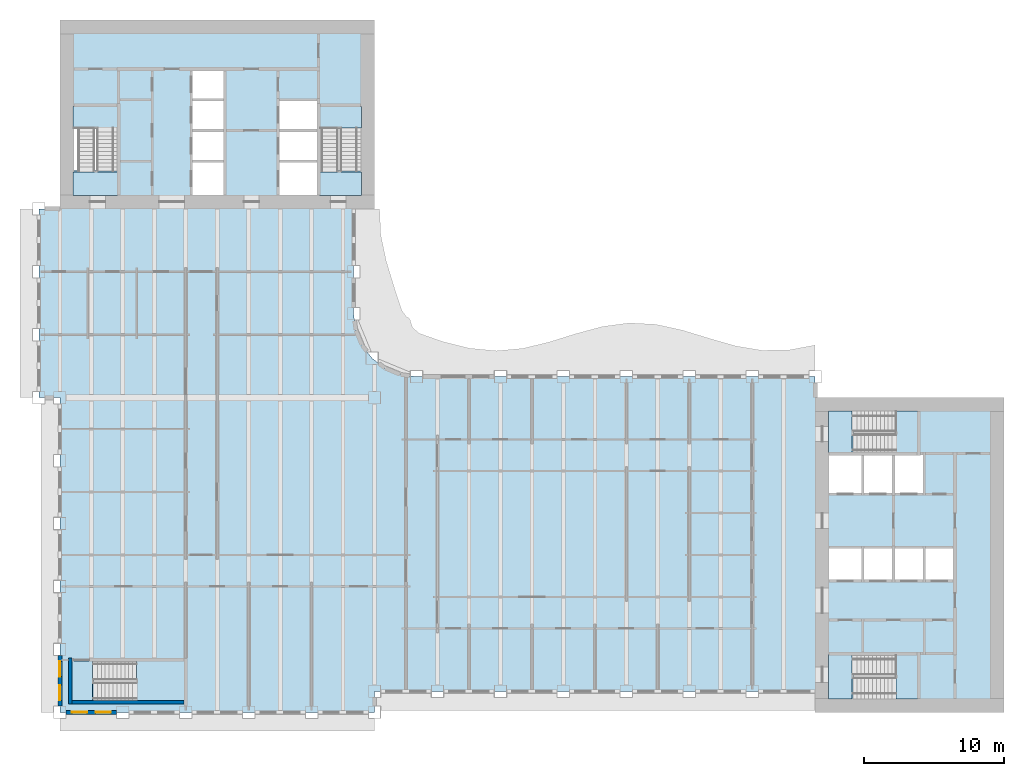
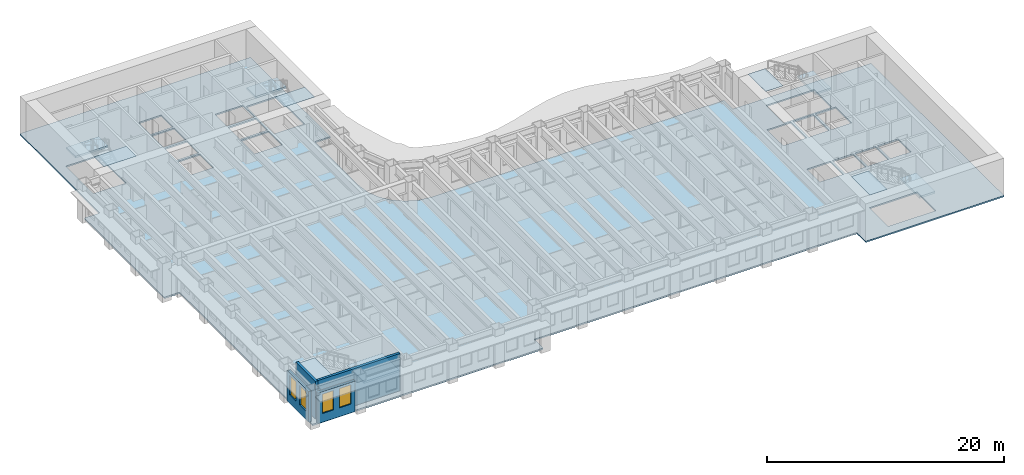
# One storey, part 2 of 16: 11 slabs, 4 walls, 4 windows, 4 openings, 5 elements without a shape of their own.
"""IFC4 building model written with IfcOpenShell, lengths in metres."""

from ifc_helpers import new_model, si_unit, direction, frame, frame_2d, origin, place, context, subcontext, project, spatial, polyline, rectangle, outline, extrude, material, layer, layer_set, type_object, element, fill, aggregate, save


model = new_model("IFC4")

# Units and contexts
model_context = context("Model", 3, precision=1e-05, world=origin(), true_north=direction((0.0, 1.0)))
body_context = subcontext(model_context, "Body", "Model", "MODEL_VIEW")
ifc_project = project(units=[si_unit("LENGTHUNIT", "METRE"), si_unit("AREAUNIT", "SQUARE_METRE"), si_unit("VOLUMEUNIT", "CUBIC_METRE"), si_unit("PLANEANGLEUNIT", "RADIAN"), si_unit("MASSUNIT", "GRAM", prefix="KILO")], contexts=[model_context])

# Site, building, storey
site_placement = place(None, origin())
site = spatial("IfcSite", under=ifc_project, at=site_placement, CompositionType="ELEMENT")
building_placement = place(site_placement, origin())
building = spatial("IfcBuilding", under=site, at=building_placement, Name="Sennacour Bend Tower", CompositionType="ELEMENT")
storey_placement = place(building_placement, frame((0.0, 0.0, 167.0)))
storey = spatial("IfcBuildingStorey", under=building, at=storey_placement, Name="L38", CompositionType="ELEMENT", Elevation=167.0)

# Slabs
ifc_material_1 = material(Name="Concrete C30/37", Category="concrete")
ifc_layer_1 = layer(ifc_material_1, 0.14990234375, Name="Concrete C30/37", Category="concrete")
ifc_layer_set_1 = layer_set([ifc_layer_1], Name="Concrete C30/37")
slab_type_1 = type_object("IfcSlabType", Name="Floor slab 150", PredefinedType="FLOOR", material=ifc_layer_set_1)
slab_1_placement = place(storey_placement, frame((0.0, 0.0, -0.14990234375)))
element("IfcSlab", 1, at=slab_1_placement, inside=storey, type_object=slab_type_1, Name="Floor slab L38-01", PredefinedType="FLOOR", context=body_context, shape_type="SweptSolid", body=[
    extrude(outline(polyline([(0.0, 22.5), (-1.5, 22.5), (-1.5, 36.0), (0.0, 36.0), (0.0, 49.5), (22.5, 49.5), (22.5, 36.0), (21.0, 36.0), (21.0, 28.5), (21.1533203125, 27.335205078125), (21.602783203125, 26.25), (22.318115234375, 25.318115234375), (23.25, 24.602783203125), (24.335205078125, 24.1533203125), (25.5, 24.0), (54.0, 24.0), (54.0, 22.5), (67.5, 22.5), (67.5, 0.0), (54.0, 0.0), (54.0, 1.5), (22.5, 1.5), (22.5, 0.0), (0.0, 0.0), (0.0, 22.5)]), holes=[polyline([(8.800048828125, 0.949951171875), (8.800048828125, 3.5), (2.429931640625, 3.5), (2.429931640625, 0.949951171875), (8.800048828125, 0.949951171875)]), polyline([(11.699951171875, 37.0), (11.699951171875, 39.300048828125), (9.5, 39.300048828125), (9.5, 37.0), (11.699951171875, 37.0)]), polyline([(18.39990234375, 37.0), (18.39990234375, 39.300048828125), (15.699951171875, 39.300048828125), (15.699951171875, 37.0), (18.39990234375, 37.0)]), polyline([(11.699951171875, 39.5), (11.699951171875, 41.5), (9.5, 41.5), (9.5, 39.5), (11.699951171875, 39.5)]), polyline([(18.39990234375, 39.5), (18.39990234375, 41.5), (15.699951171875, 41.5), (15.699951171875, 39.5), (18.39990234375, 39.5)]), polyline([(4.125, 38.72998046875), (4.125, 43.39990234375), (0.949951171875, 43.39990234375), (0.949951171875, 38.72998046875), (4.125, 38.72998046875)]), polyline([(21.550048828125, 38.72998046875), (21.550048828125, 43.39990234375), (18.574951171875, 43.39990234375), (18.574951171875, 38.72998046875), (21.550048828125, 38.72998046875)]), polyline([(9.5, 41.699951171875), (11.699951171875, 41.699951171875), (11.699951171875, 43.699951171875), (9.5, 43.699951171875), (9.5, 41.699951171875)]), polyline([(15.699951171875, 41.699951171875), (18.39990234375, 41.699951171875), (18.39990234375, 43.699951171875), (15.699951171875, 43.699951171875), (15.699951171875, 41.699951171875)]), polyline([(11.699951171875, 43.89990234375), (11.699951171875, 45.89990234375), (9.5, 45.89990234375), (9.5, 43.89990234375), (11.699951171875, 43.89990234375)]), polyline([(61.39990234375, 0.949951171875), (61.39990234375, 4.125), (56.72998046875, 4.125), (56.72998046875, 0.949951171875), (61.39990234375, 0.949951171875)]), polyline([(57.300048828125, 9.5), (57.300048828125, 11.699951171875), (55.0, 11.699951171875), (55.0, 9.5), (57.300048828125, 9.5)]), polyline([(57.5, 9.5), (59.5, 9.5), (59.5, 11.699951171875), (57.5, 11.699951171875), (57.5, 9.5)]), polyline([(59.699951171875, 9.5), (61.699951171875, 9.5), (61.699951171875, 11.699951171875), (59.699951171875, 11.699951171875), (59.699951171875, 9.5)]), polyline([(63.89990234375, 9.5), (63.89990234375, 11.699951171875), (61.89990234375, 11.699951171875), (61.89990234375, 9.5), (63.89990234375, 9.5)]), polyline([(57.300048828125, 15.699951171875), (57.300048828125, 18.39990234375), (55.0, 18.39990234375), (55.0, 15.699951171875), (57.300048828125, 15.699951171875)]), polyline([(59.5, 15.699951171875), (59.5, 18.39990234375), (57.5, 18.39990234375), (57.5, 15.699951171875), (59.5, 15.699951171875)]), polyline([(59.699951171875, 15.699951171875), (61.699951171875, 15.699951171875), (61.699951171875, 18.39990234375), (59.699951171875, 18.39990234375), (59.699951171875, 15.699951171875)]), polyline([(56.72998046875, 18.574951171875), (61.39990234375, 18.574951171875), (61.39990234375, 21.550048828125), (56.72998046875, 21.550048828125), (56.72998046875, 18.574951171875)])]), origin(), (0.0, 0.0, 1.0), 0.14990234375),
])
ifc_material_2 = material(Name="Concrete C40/50", Category="concrete")
ifc_layer_2 = layer(ifc_material_2, 0.034912109375, Name="Concrete C40/50", Category="concrete")
ifc_layer_set_2 = layer_set([ifc_layer_2], Name="Concrete C40/50")
slab_type_2 = type_object("IfcSlabType", Name="Stair arrival nib 35", PredefinedType="FLOOR", material=ifc_layer_set_2)
slab_2_placement = place(storey_placement, frame((0.0, 0.0, 3.815185546875)))
element("IfcSlab", 2, at=slab_2_placement, inside=storey, type_object=slab_type_2, Name="L38 SA1 stair arrival nib", PredefinedType="FLOOR", context=body_context, shape_type="SweptSolid", body=[
    extrude(outline(polyline([(56.64208984375, 4.125), (54.949951171875, 4.125), (54.949951171875, 0.949951171875), (56.64208984375, 0.949951171875), (56.64208984375, 4.125)])), origin(), (0.0, 0.0, 1.0), 0.034912109375),
])
slab_3_placement = place(storey_placement, frame((0.0, 0.0, 3.815185546875)))
element("IfcSlab", 3, at=slab_3_placement, inside=storey, type_object=slab_type_2, Name="L38 SA2 stair arrival nib", PredefinedType="FLOOR", context=body_context, shape_type="SweptSolid", body=[
    extrude(outline(polyline([(56.64208984375, 21.550048828125), (54.949951171875, 21.550048828125), (54.949951171875, 18.574951171875), (56.64208984375, 18.574951171875), (56.64208984375, 21.550048828125)])), origin(), (0.0, 0.0, 1.0), 0.034912109375),
])
slab_4_placement = place(storey_placement, frame((0.0, 0.0, 3.815185546875)))
element("IfcSlab", 4, at=slab_4_placement, inside=storey, type_object=slab_type_2, Name="L38 SB1 stair arrival nib", PredefinedType="FLOOR", context=body_context, shape_type="SweptSolid", body=[
    extrude(outline(polyline([(0.949951171875, 38.64208984375), (0.949951171875, 36.949951171875), (4.125, 36.949951171875), (4.125, 38.64208984375), (0.949951171875, 38.64208984375)])), origin(), (0.0, 0.0, 1.0), 0.034912109375),
])
slab_5_placement = place(storey_placement, frame((0.0, 0.0, 3.815185546875)))
element("IfcSlab", 5, at=slab_5_placement, inside=storey, type_object=slab_type_2, Name="L38 SB2 stair arrival nib", PredefinedType="FLOOR", context=body_context, shape_type="SweptSolid", body=[
    extrude(outline(polyline([(18.574951171875, 38.64208984375), (18.574951171875, 36.949951171875), (21.550048828125, 36.949951171875), (21.550048828125, 38.64208984375), (18.574951171875, 38.64208984375)])), origin(), (0.0, 0.0, 1.0), 0.034912109375),
])
slab_6_placement = place(storey_placement, frame((0.0, 0.0, 3.815185546875)))
element("IfcSlab", 6, at=slab_6_placement, inside=storey, type_object=slab_type_2, Name="L38 SK1 stair arrival nib", PredefinedType="FLOOR", context=body_context, shape_type="SweptSolid", body=[
    extrude(outline(polyline([(2.342041015625, 3.675048828125), (0.800048828125, 3.675048828125), (0.800048828125, 0.800048828125), (2.342041015625, 0.800048828125), (2.342041015625, 3.675048828125)])), origin(), (0.0, 0.0, 1.0), 0.034912109375),
])

# Stair, slab
stair_type = type_object("IfcStairType", Name="ST-DOGLEG", PredefinedType="HALF_TURN_STAIR", material=ifc_material_2)
stair_1_placement = place(storey_placement, origin())
stair_1 = element("IfcStair", 7, at=stair_1_placement, inside=storey, type_object=stair_type, Name="L38 Exit stair A1", PredefinedType="HALF_TURN_STAIR")
ifc_layer_3 = layer(ifc_material_2, 0.199951171875, Name="Concrete C40/50", Category="concrete")
ifc_layer_set_3 = layer_set([ifc_layer_3], Name="Concrete C40/50")
slab_type_3 = type_object("IfcSlabType", Name="Stair landing 200", PredefinedType="LANDING", material=ifc_layer_set_3)
slab_7_placement = place(storey_placement, frame((0.0, 0.0, 1.800048828125)))
slab_7 = element("IfcSlab", 8, at=slab_7_placement, type_object=slab_type_3, Name="SA1 landing 1", PredefinedType="LANDING", context=body_context, shape_type="SweptSolid", body=[
    extrude(outline(polyline([(59.780029296875, 0.949951171875), (61.324951171875, 0.949951171875), (61.324951171875, 4.125), (59.780029296875, 4.125), (59.780029296875, 0.949951171875)])), origin(), (0.0, 0.0, 1.0), 0.199951171875),
])
aggregate(stair_1, [slab_7])

stair_2_placement = place(storey_placement, origin())
stair_2 = element("IfcStair", 9, at=stair_2_placement, inside=storey, type_object=stair_type, Name="L38 Exit stair A2", PredefinedType="HALF_TURN_STAIR")
slab_8_placement = place(storey_placement, frame((0.0, 0.0, 1.800048828125)))
slab_8 = element("IfcSlab", 10, at=slab_8_placement, type_object=slab_type_3, Name="SA2 landing 1", PredefinedType="LANDING", context=body_context, shape_type="SweptSolid", body=[
    extrude(outline(polyline([(59.780029296875, 18.574951171875), (61.324951171875, 18.574951171875), (61.324951171875, 21.550048828125), (59.780029296875, 21.550048828125), (59.780029296875, 18.574951171875)])), origin(), (0.0, 0.0, 1.0), 0.199951171875),
])
aggregate(stair_2, [slab_8])

stair_3_placement = place(storey_placement, origin())
stair_3 = element("IfcStair", 11, at=stair_3_placement, inside=storey, type_object=stair_type, Name="L38 Exit stair B1", PredefinedType="HALF_TURN_STAIR")
slab_9_placement = place(storey_placement, frame((0.0, 0.0, 1.800048828125)))
slab_9 = element("IfcSlab", 12, at=slab_9_placement, type_object=slab_type_3, Name="SB1 landing 1", PredefinedType="LANDING", context=body_context, shape_type="SweptSolid", body=[
    extrude(outline(polyline([(0.949951171875, 41.780029296875), (4.125, 41.780029296875), (4.125, 43.324951171875), (0.949951171875, 43.324951171875), (0.949951171875, 41.780029296875)])), origin(), (0.0, 0.0, 1.0), 0.199951171875),
])
aggregate(stair_3, [slab_9])

stair_4_placement = place(storey_placement, origin())
stair_4 = element("IfcStair", 13, at=stair_4_placement, inside=storey, type_object=stair_type, Name="L38 Exit stair B2", PredefinedType="HALF_TURN_STAIR")
slab_10_placement = place(storey_placement, frame((0.0, 0.0, 1.800048828125)))
slab_10 = element("IfcSlab", 14, at=slab_10_placement, type_object=slab_type_3, Name="SB2 landing 1", PredefinedType="LANDING", context=body_context, shape_type="SweptSolid", body=[
    extrude(outline(polyline([(18.574951171875, 41.780029296875), (21.550048828125, 41.780029296875), (21.550048828125, 43.324951171875), (18.574951171875, 43.324951171875), (18.574951171875, 41.780029296875)])), origin(), (0.0, 0.0, 1.0), 0.199951171875),
])
aggregate(stair_4, [slab_10])

stair_5_placement = place(storey_placement, origin())
stair_5 = element("IfcStair", 15, at=stair_5_placement, inside=storey, type_object=stair_type, Name="L38 Exit stair K1", PredefinedType="HALF_TURN_STAIR")
slab_11_placement = place(storey_placement, frame((0.0, 0.0, 1.800048828125)))
slab_11 = element("IfcSlab", 16, at=slab_11_placement, type_object=slab_type_3, Name="SK1 landing 1", PredefinedType="LANDING", context=body_context, shape_type="SweptSolid", body=[
    extrude(outline(polyline([(5.47998046875, 0.800048828125), (8.925048828125, 0.800048828125), (8.925048828125, 3.675048828125), (5.47998046875, 3.675048828125), (5.47998046875, 0.800048828125)])), origin(), (0.0, 0.0, 1.0), 0.199951171875),
])
aggregate(stair_5, [slab_11])

# Wall, openings, windows
ifc_material_3 = material(Name="Warm limestone cladding", Category="masonry")
ifc_layer_4 = layer(ifc_material_3, 0.050048828125, Name="Warm limestone cladding", Category="masonry")
ifc_material_4 = material(Name="Precast concrete C40/50", Category="concrete")
ifc_layer_5 = layer(ifc_material_4, 0.25, Name="Precast concrete C40/50", Category="concrete")
ifc_layer_set_4 = layer_set([ifc_layer_4, ifc_layer_5], Name="Precast concrete C40/50 with limestone cladding")
wall_type_1 = type_object("IfcWallType", Name="STONE-CLAD PRECAST SPANDREL 300", PredefinedType="STANDARD", material=ifc_layer_set_4)
wall_1_placement = place(storey_placement, frame((0.449951171875, 0.0, 0.0), z_axis=(0.0, 0.0, 1.0), x_axis=(1.0, 0.0, 0.0)))
wall_1 = element("IfcWall", 17, at=wall_1_placement, inside=storey, type_object=wall_type_1, Name="Stone spandrel and pier wall L38 00.00", PredefinedType="STANDARD", context=body_context, shape_type="SweptSolid", body=[
    extrude(rectangle(XDim=3.60009765625, YDim=0.300048828125, at=frame_2d((1.800048828125, 0.0))), origin(), (0.0, 0.0, 1.0), 3.14892578125),
])
opening_1_placement = place(wall_1_placement, frame((0.39990234375, 0.0, 0.89990234375)))
opening_1 = element("IfcOpeningElement", 18, at=opening_1_placement, cuts=wall_1, Name="Opening W19", PredefinedType="OPENING", context=body_context, shape_type="SweptSolid", body=[
    extrude(rectangle(XDim=1.10009765625, YDim=2.0, at=frame_2d((0.550048828125, 1.0))), frame((0.0, 0.16015625, 0.0), z_axis=(0.0, -1.0, 0.0), x_axis=(1.0, 0.0, 0.0)), (0.0, 0.0, 1.0), 0.320068359375),
])
opening_2_placement = place(wall_1_placement, frame((2.10009765625, 0.0, 0.89990234375)))
opening_2 = element("IfcOpeningElement", 19, at=opening_2_placement, cuts=wall_1, Name="Opening W19", PredefinedType="OPENING", context=body_context, shape_type="SweptSolid", body=[
    extrude(rectangle(XDim=1.10009765625, YDim=2.0, at=frame_2d((0.550048828125, 1.0))), frame((0.0, 0.16015625, 0.0), z_axis=(0.0, -1.0, 0.0), x_axis=(1.0, 0.0, 0.0)), (0.0, 0.0, 1.0), 0.320068359375),
])
ifc_material_5 = material(Name="Clear low-emissivity glass", Category="glass")
window_type = type_object("IfcWindowType", Name="WIN-RIBBON-1100x2000", PartitioningType="SINGLE_PANEL", PredefinedType="WINDOW", material=ifc_material_5)
window_1_placement = place(opening_1_placement, origin())
window_1 = element("IfcWindow", 20, at=window_1_placement, inside=storey, type_object=window_type, Name="Ribbon window L38 00.00.0", OverallHeight=2.0, OverallWidth=1.10009765625, PartitioningType="SINGLE_PANEL", PredefinedType="WINDOW", context=body_context, shape_type="SweptSolid", body=[
    extrude(rectangle(XDim=1.10009765625, YDim=2.0, at=frame_2d((0.550048828125, 1.0))), frame((0.0, 0.030029296875, 0.0), z_axis=(0.0, -1.0, 0.0), x_axis=(1.0, 0.0, 0.0)), (0.0, 0.0, 1.0), 0.06005859375),
])
fill(opening_1, window_1)
window_2_placement = place(opening_2_placement, origin())
window_2 = element("IfcWindow", 21, at=window_2_placement, inside=storey, type_object=window_type, Name="Ribbon window L38 00.00.1", OverallHeight=2.0, OverallWidth=1.10009765625, PartitioningType="SINGLE_PANEL", PredefinedType="WINDOW", context=body_context, shape_type="SweptSolid", body=[
    extrude(rectangle(XDim=1.10009765625, YDim=2.0, at=frame_2d((0.550048828125, 1.0))), frame((0.0, 0.030029296875, 0.0), z_axis=(0.0, -1.0, 0.0), x_axis=(1.0, 0.0, 0.0)), (0.0, 0.0, 1.0), 0.06005859375),
])
fill(opening_2, window_2)

wall_2_placement = place(storey_placement, frame((0.0, 4.050048828125, 0.0), z_axis=(0.0, 0.0, 1.0), x_axis=(0.0, -1.0, 0.0)))
wall_2 = element("IfcWall", 22, at=wall_2_placement, inside=storey, type_object=wall_type_1, Name="Stone spandrel and pier wall L38 23.04", PredefinedType="STANDARD", context=body_context, shape_type="SweptSolid", body=[
    extrude(rectangle(XDim=3.60009765625, YDim=0.300048828125, at=frame_2d((1.800048828125, 0.0))), origin(), (0.0, 0.0, 1.0), 3.14892578125),
])
opening_3_placement = place(wall_2_placement, frame((0.39990234375, 0.0, 0.89990234375)))
opening_3 = element("IfcOpeningElement", 23, at=opening_3_placement, cuts=wall_2, Name="Opening W19", PredefinedType="OPENING", context=body_context, shape_type="SweptSolid", body=[
    extrude(rectangle(XDim=1.10009765625, YDim=2.0, at=frame_2d((0.550048828125, 1.0))), frame((0.0, 0.16015625, 0.0), z_axis=(0.0, -1.0, 0.0), x_axis=(1.0, 0.0, 0.0)), (0.0, 0.0, 1.0), 0.320068359375),
])
opening_4_placement = place(wall_2_placement, frame((2.10009765625, 0.0, 0.89990234375)))
opening_4 = element("IfcOpeningElement", 24, at=opening_4_placement, cuts=wall_2, Name="Opening W19", PredefinedType="OPENING", context=body_context, shape_type="SweptSolid", body=[
    extrude(rectangle(XDim=1.10009765625, YDim=2.0, at=frame_2d((0.550048828125, 1.0))), frame((0.0, 0.16015625, 0.0), z_axis=(0.0, -1.0, 0.0), x_axis=(1.0, 0.0, 0.0)), (0.0, 0.0, 1.0), 0.320068359375),
])
window_3_placement = place(opening_3_placement, origin())
window_3 = element("IfcWindow", 25, at=window_3_placement, inside=storey, type_object=window_type, Name="Ribbon window L38 23.04.0", OverallHeight=2.0, OverallWidth=1.10009765625, PartitioningType="SINGLE_PANEL", PredefinedType="WINDOW", context=body_context, shape_type="SweptSolid", body=[
    extrude(rectangle(XDim=1.10009765625, YDim=2.0, at=frame_2d((0.550048828125, 1.0))), frame((0.0, 0.030029296875, 0.0), z_axis=(0.0, -1.0, 0.0), x_axis=(1.0, 0.0, 0.0)), (0.0, 0.0, 1.0), 0.06005859375),
])
fill(opening_3, window_3)
window_4_placement = place(opening_4_placement, origin())
window_4 = element("IfcWindow", 26, at=window_4_placement, inside=storey, type_object=window_type, Name="Ribbon window L38 23.04.1", OverallHeight=2.0, OverallWidth=1.10009765625, PartitioningType="SINGLE_PANEL", PredefinedType="WINDOW", context=body_context, shape_type="SweptSolid", body=[
    extrude(rectangle(XDim=1.10009765625, YDim=2.0, at=frame_2d((0.550048828125, 1.0))), frame((0.0, 0.030029296875, 0.0), z_axis=(0.0, -1.0, 0.0), x_axis=(1.0, 0.0, 0.0)), (0.0, 0.0, 1.0), 0.06005859375),
])
fill(opening_4, window_4)

# Walls
ifc_material_6 = material(Name="Concrete C60/75", Category="concrete")
ifc_layer_6 = layer(ifc_material_6, 0.25, Name="Concrete C60/75", Category="concrete")
ifc_layer_set_5 = layer_set([ifc_layer_6], Name="Concrete C60/75")
wall_type_2 = type_object("IfcWallType", Name="Stair wall 250", PredefinedType="SHEAR", material=ifc_layer_set_5)
wall_3_placement = place(storey_placement, frame((0.72509765625, 0.60009765625, 0.0), z_axis=(0.0, 0.0, 1.0), x_axis=(0.0, 1.0, 0.0)))
element("IfcWall", 27, at=wall_3_placement, inside=storey, type_object=wall_type_2, Name="P-L38-W003", PredefinedType="SHEAR", context=body_context, shape_type="SweptSolid", body=[
    extrude(rectangle(XDim=3.27490234375, YDim=0.25, at=frame_2d((1.637451171875, 0.0))), origin(), (0.0, 0.0, 1.0), 3.85009765625),
])
wall_4_placement = place(storey_placement, frame((0.85009765625, 0.72509765625, 0.0), z_axis=(0.0, 0.0, 1.0), x_axis=(1.0, 0.0, 0.0)))
element("IfcWall", 28, at=wall_4_placement, inside=storey, type_object=wall_type_2, Name="P-L38-W052", PredefinedType="SHEAR", context=body_context, shape_type="SweptSolid", body=[
    extrude(rectangle(XDim=8.02490234375, YDim=0.25, at=frame_2d((4.012451171875, 0.0))), origin(), (0.0, 0.0, 1.0), 3.85009765625),
])

save(model, "model.ifc")
